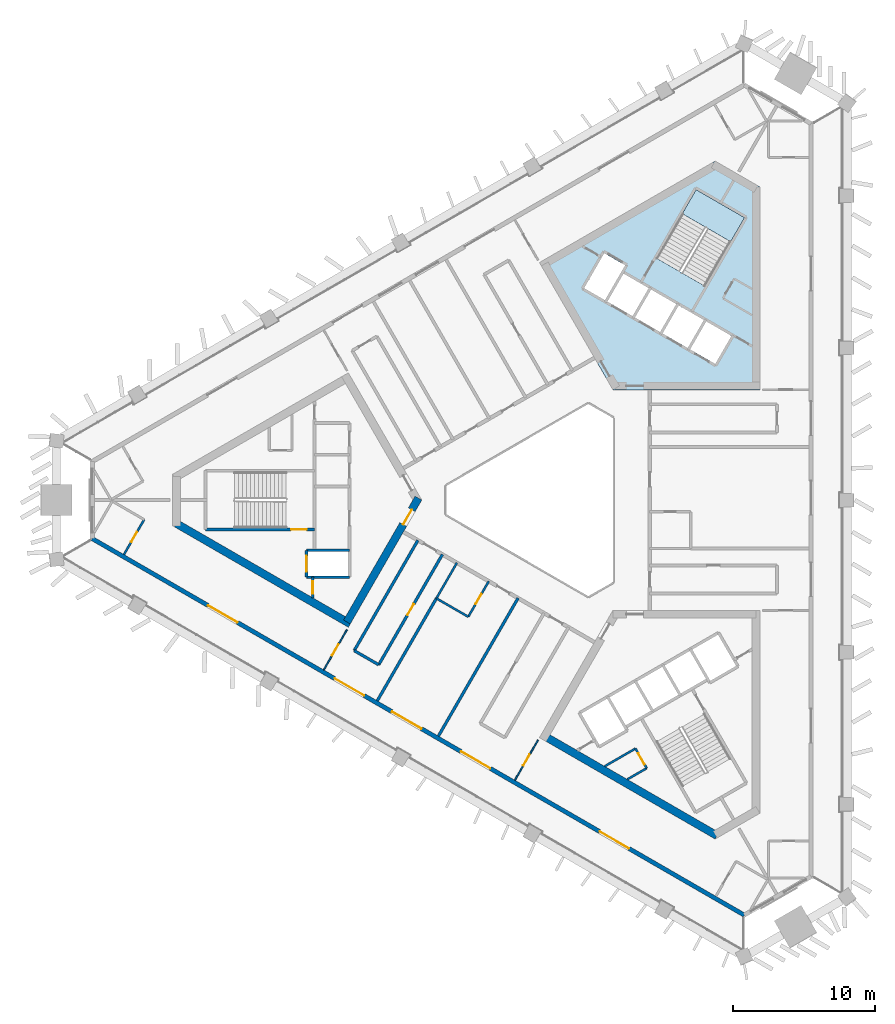
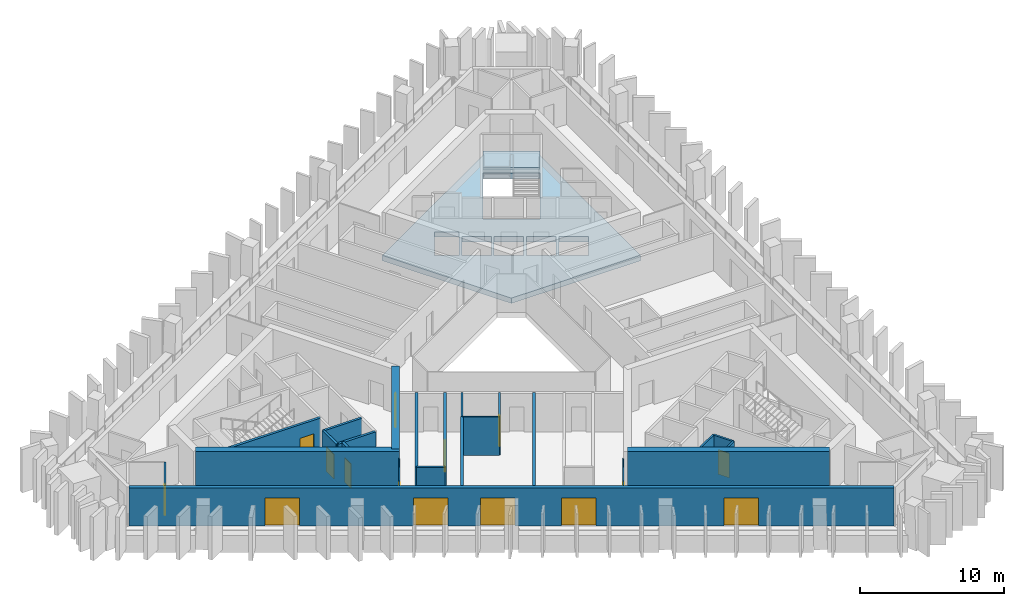
# One storey, part 2 of 10: 23 walls, 15 doors, 2 slabs, 15 openings, 1 element without a shape of its own.
"""IFC4 building model written with IfcOpenShell, lengths in metres."""

from ifc_helpers import new_model, si_unit, direction, frame, frame_2d, origin, place, context, subcontext, project, spatial, polyline, rectangle, outline, extrude, material, layer, layer_set, type_object, element, fill, aggregate, save


model = new_model("IFC4")

# Units and contexts
model_context = context("Model", 3, precision=1e-05, world=origin(), true_north=direction((0.0, 1.0)))
body_context = subcontext(model_context, "Body", "Model", "MODEL_VIEW")
ifc_project = project(units=[si_unit("LENGTHUNIT", "METRE"), si_unit("AREAUNIT", "SQUARE_METRE"), si_unit("VOLUMEUNIT", "CUBIC_METRE"), si_unit("PLANEANGLEUNIT", "RADIAN"), si_unit("MASSUNIT", "GRAM", prefix="KILO")], contexts=[model_context])

# Site, building, storey
site_placement = place(None, origin())
site = spatial("IfcSite", under=ifc_project, at=site_placement, CompositionType="ELEMENT")
building_placement = place(site_placement, origin())
building = spatial("IfcBuilding", under=site, at=building_placement, Name="Jabali Bay Hotel Tower and Convention Centre", CompositionType="ELEMENT")
storey_placement = place(building_placement, frame((0.0, 0.0, 178.5)))
storey = spatial("IfcBuildingStorey", under=building, at=storey_placement, Name="L43", CompositionType="ELEMENT", Elevation=178.5)

# Slab
ifc_material_1 = material(Name="Concrete C40", Category="concrete")
ifc_layer_1 = layer(ifc_material_1, 0.449951171875)
ifc_layer_set_1 = layer_set([ifc_layer_1], Name="Concrete C40")
slab_type_1 = type_object("IfcSlabType", Name="Core floor slab 450", PredefinedType="FLOOR", material=ifc_layer_set_1)
slab_1_placement = place(storey_placement, frame((0.0, 0.0, -0.449951171875)))
element("IfcSlab", 1, at=slab_1_placement, inside=storey, type_object=slab_type_1, Name="Core floor slab 2 L43", PredefinedType="FLOOR", context=body_context, shape_type="SweptSolid", body=[
    extrude(outline(polyline([(79.5, 87.794189453125), (89.8798828125, 87.794189453125), (89.8798828125, 102.127685546875), (86.72314453125, 103.9501953125), (74.31005859375, 96.78369140625), (79.5, 87.794189453125)]), holes=[polyline([(84.957763671875, 90.6474609375), (86.733154296875, 89.62255859375), (87.873291015625, 91.59716796875), (86.097900390625, 92.6220703125), (84.957763671875, 90.6474609375)]), polyline([(84.1494140625, 93.7470703125), (83.00927734375, 91.7724609375), (84.78466796875, 90.74755859375), (85.924560546875, 92.72216796875), (84.1494140625, 93.7470703125)]), polyline([(82.20068359375, 94.8720703125), (81.060791015625, 92.8974609375), (82.836181640625, 91.87255859375), (83.97607421875, 93.84716796875), (82.20068359375, 94.8720703125)]), polyline([(79.1123046875, 94.0224609375), (80.887451171875, 92.99755859375), (82.027587890625, 94.97216796875), (80.252197265625, 95.9970703125), (79.1123046875, 94.0224609375)]), polyline([(78.891845703125, 97.440673828125), (77.466796875, 94.97265625), (78.93896484375, 94.12255859375), (80.364013671875, 96.5908203125), (78.891845703125, 97.440673828125)]), polyline([(82.584716796875, 97.0869140625), (86.00537109375, 95.11181640625), (88.80029296875, 99.952880859375), (85.379638671875, 101.927978515625), (82.584716796875, 97.0869140625)])]), origin(), (0.0, 0.0, 1.0), 0.449951171875),
])

# Stair, slab
stair_type = type_object("IfcStairType", Name="Exit stair 1900", PredefinedType="HALF_TURN_STAIR", material=ifc_material_1)
stair_placement = place(storey_placement, origin())
stair = element("IfcStair", 2, at=stair_placement, inside=storey, type_object=stair_type, Name="L43 Exit Stair 2", PredefinedType="HALF_TURN_STAIR")
ifc_layer_2 = layer(ifc_material_1, 0.199951171875)
ifc_layer_set_2 = layer_set([ifc_layer_2], Name="Concrete C40")
slab_type_2 = type_object("IfcSlabType", Name="Stair landing 200", PredefinedType="LANDING", material=ifc_layer_set_2)
slab_2_placement = place(storey_placement, frame((0.0, 0.0, 1.64990234375)))
slab_2 = element("IfcSlab", 3, at=slab_2_placement, type_object=slab_type_2, Name="ST2 landing 1", PredefinedType="LANDING", context=body_context, shape_type="SweptSolid", body=[
    extrude(outline(polyline([(87.81884765625, 98.2529296875), (88.80029296875, 99.952880859375), (85.379638671875, 101.927978515625), (84.398193359375, 100.22802734375), (87.81884765625, 98.2529296875)])), origin(), (0.0, 0.0, 1.0), 0.2001953125),
])
aggregate(stair, [slab_2])

# Wall, opening, door
ifc_layer_3 = layer(ifc_material_1, 0.199951171875)
ifc_layer_set_3 = layer_set([ifc_layer_3], Name="Concrete C40")
wall_type_1 = type_object("IfcWallType", Name="Core partition wall 200", PredefinedType="PARTITIONING", material=ifc_layer_set_3)
wall_1_placement = place(storey_placement, frame((58.300048828125, 74.550048828125, 0.0), z_axis=(0.0, 0.0, 1.0), x_axis=(0.0, -1.0, 0.0)))
wall_1 = element("IfcWall", 4, at=wall_1_placement, inside=storey, type_object=wall_type_1, Name="Core wall 0.11 L43", PredefinedType="PARTITIONING", context=body_context, shape_type="SweptSolid", body=[
    extrude(rectangle(XDim=1.455078125, YDim=0.199951171875, at=frame_2d((0.7275390625, 0.0))), origin(), (0.0, 0.0, 1.0), 3.25),
])
opening_1_placement = place(wall_1_placement, frame((0.277587890625, 0.0, 0.0)))
opening_1 = element("IfcOpeningElement", 5, at=opening_1_placement, cuts=wall_1, Name="Opening D931", PredefinedType="OPENING", context=body_context, shape_type="SweptSolid", body=[
    extrude(rectangle(XDim=0.89990234375, YDim=2.10009765625, at=frame_2d((0.449951171875, 1.050048828125))), frame((0.0, 0.1103515625, 0.0), z_axis=(0.0, -1.0, 0.0), x_axis=(1.0, 0.0, 0.0)), (0.0, 0.0, 1.0), 0.220947265625),
])
ifc_material_2 = material(Name="Fire-rated steel door", Category="steel")
door_type_1 = type_object("IfcDoorType", Name="Vestibule fire door 900 x 2100", OperationType="NOTDEFINED", PredefinedType="NOTDEFINED", material=ifc_material_2)
door_1_placement = place(opening_1_placement, origin())
door_1 = element("IfcDoor", 6, at=door_1_placement, inside=storey, type_object=door_type_1, Name="Vestibule fire door D931", OperationType="SINGLE_SWING_LEFT", OverallHeight=2.10009765625, OverallWidth=0.89990234375, PredefinedType="NOTDEFINED", context=body_context, shape_type="SweptSolid", body=[
    extrude(rectangle(XDim=0.89990234375, YDim=2.10009765625, at=frame_2d((0.449951171875, 1.050048828125))), frame((0.0, 0.02490234375, 0.0), z_axis=(0.0, -1.0, 0.0), x_axis=(1.0, 0.0, 0.0)), (0.0, 0.0, 1.0), 0.050048828125),
])
fill(opening_1, door_1)

ifc_material_3 = material(Name="Fire-rated board partition")
ifc_layer_4 = layer(ifc_material_3, 0.14990234375)
ifc_layer_set_4 = layer_set([ifc_layer_4], Name="Fire-rated board partition")
wall_type_2 = type_object("IfcWallType", Name="Core room partition 150", PredefinedType="PARTITIONING", material=ifc_layer_set_4)
wall_2_placement = place(storey_placement, frame((81.093994140625, 62.445068359375, 0.0), z_axis=(0.0, 0.0, 1.0), x_axis=(0.499880961361, -0.866094119867, 0.0)))
wall_2 = element("IfcWall", 7, at=wall_2_placement, inside=storey, type_object=wall_type_2, Name="Core wall 2.1 L43", PredefinedType="PARTITIONING", context=body_context, shape_type="SweptSolid", body=[
    extrude(rectangle(XDim=1.60009765625, YDim=0.14990234375, at=frame_2d((0.800048828125, 0.0))), origin(), (0.0, 0.0, 1.0), 3.25),
])
opening_2_placement = place(wall_2_placement, frame((0.387451171875, 0.0, 0.0)))
opening_2 = element("IfcOpeningElement", 8, at=opening_2_placement, cuts=wall_2, Name="Opening D946", PredefinedType="OPENING", context=body_context, shape_type="SweptSolid", body=[
    extrude(rectangle(XDim=0.89990234375, YDim=2.10009765625, at=frame_2d((0.449951171875, 1.050048828125))), frame((0.0, 0.08544921875, 0.0), z_axis=(0.0, -1.0, 0.0), x_axis=(1.0, 0.0, 0.0)), (0.0, 0.0, 1.0), 0.1708984375),
])
door_type_2 = type_object("IfcDoorType", Name="Core room door 900 x 2100", OperationType="NOTDEFINED", PredefinedType="NOTDEFINED", material=ifc_material_2)
door_2_placement = place(opening_2_placement, origin())
door_2 = element("IfcDoor", 9, at=door_2_placement, inside=storey, type_object=door_type_2, Name="Core room door D946", OperationType="SINGLE_SWING_LEFT", OverallHeight=2.10009765625, OverallWidth=0.89990234375, PredefinedType="NOTDEFINED", context=body_context, shape_type="SweptSolid", body=[
    extrude(rectangle(XDim=0.89990234375, YDim=2.10009765625, at=frame_2d((0.449951171875, 1.050048828125))), frame((0.0, 0.02490234375, 0.0), z_axis=(0.0, -1.0, 0.0), x_axis=(1.0, 0.0, 0.0)), (0.0, 0.0, 1.0), 0.050048828125),
])
fill(opening_2, door_2)

# Walls
wall_3_placement = place(storey_placement, frame((78.919921875, 61.18994140625, 0.0), z_axis=(0.0, 0.0, 1.0), x_axis=(0.866038211682, 0.499977815414, 0.0)))
element("IfcWall", 10, at=wall_3_placement, inside=storey, type_object=wall_type_2, Name="Core wall 2.16 L43", PredefinedType="PARTITIONING", context=body_context, shape_type="SweptSolid", body=[
    extrude(rectangle(XDim=2.51025390625, YDim=0.14990234375, at=frame_2d((1.255126953125, 0.0))), origin(), (0.0, 0.0, 1.0), 3.25),
])
wall_4_placement = place(storey_placement, frame((80.52001953125, 60.26611328125, 0.0), z_axis=(0.0, 0.0, 1.0), x_axis=(0.866008740531, 0.500028860491, 0.0)))
element("IfcWall", 11, at=wall_4_placement, inside=storey, type_object=wall_type_2, Name="Core wall 2.17 L43", PredefinedType="PARTITIONING", context=body_context, shape_type="SweptSolid", body=[
    extrude(rectangle(XDim=1.58642578125, YDim=0.14990234375, at=frame_2d((0.793212890625, 0.0))), origin(), (0.0, 0.0, 1.0), 3.25),
])

# Wall, opening, door
ifc_layer_5 = layer(ifc_material_1, 0.199951171875)
ifc_layer_set_5 = layer_set([ifc_layer_5], Name="Concrete C40")
wall_type_3 = type_object("IfcWallType", Name="Core stair wall 200", PredefinedType="SOLIDWALL", material=ifc_layer_set_5)
wall_5_placement = place(storey_placement, frame((58.419921875, 77.925048828125, 0.0), z_axis=(0.0, 0.0, 1.0), x_axis=(-1.0, 0.0, 0.0)))
wall_5 = element("IfcWall", 12, at=wall_5_placement, inside=storey, type_object=wall_type_3, Name="Core wall 0.6 L43", PredefinedType="SOLIDWALL", context=body_context, shape_type="SweptSolid", body=[
    extrude(rectangle(XDim=7.699951171875, YDim=0.199951171875, at=frame_2d((3.85009765625, 0.0))), origin(), (0.0, 0.0, 1.0), 3.25),
])
opening_3_placement = place(wall_5_placement, frame((0.550048828125, 0.0, 0.0)))
opening_3 = element("IfcOpeningElement", 13, at=opening_3_placement, cuts=wall_5, Name="Opening D933", PredefinedType="OPENING", context=body_context, shape_type="SweptSolid", body=[
    extrude(rectangle(XDim=1.10009765625, YDim=2.10009765625, at=frame_2d((0.550048828125, 1.050048828125))), frame((0.0, 0.1103515625, 0.0), z_axis=(0.0, -1.0, 0.0), x_axis=(1.0, 0.0, 0.0)), (0.0, 0.0, 1.0), 0.220947265625),
])
door_type_3 = type_object("IfcDoorType", Name="Stair fire door 1100 x 2100", OperationType="NOTDEFINED", PredefinedType="NOTDEFINED", material=ifc_material_2)
door_3_placement = place(opening_3_placement, origin())
door_3 = element("IfcDoor", 14, at=door_3_placement, inside=storey, type_object=door_type_3, Name="Stair fire door D933", OperationType="SINGLE_SWING_RIGHT", OverallHeight=2.10009765625, OverallWidth=1.10009765625, PredefinedType="NOTDEFINED", context=body_context, shape_type="SweptSolid", body=[
    extrude(rectangle(XDim=1.10009765625, YDim=2.10009765625, at=frame_2d((0.550048828125, 1.050048828125))), frame((0.0, 0.02490234375, 0.0), z_axis=(0.0, -1.0, 0.0), x_axis=(1.0, 0.0, 0.0)), (0.0, 0.0, 1.0), 0.050048828125),
])
fill(opening_3, door_3)

# Walls
for number, where, z_axis, x_axis, name in (
    (15, (60.89990234375, 76.449951171875, 0.0), (0.0, 0.0, 1.0), (-1.0, 0.0, 0.0), "Core wall 0.7 L43"),
    (16, (60.89990234375, 74.550048828125, 0.0), (0.0, 0.0, 1.0), (-1.0, 0.0, 0.0), "Core wall 0.8 L43"),
):
    element("IfcWall", number, at=place(storey_placement, frame(where, z_axis=z_axis, x_axis=x_axis)), inside=storey, type_object=wall_type_3, Name=name, PredefinedType="SOLIDWALL", context=body_context, shape_type="SweptSolid", body=[
        extrude(rectangle(XDim=3.0498046875, YDim=0.199951171875, at=frame_2d((1.52490234375, 0.0))), origin(), (0.0, 0.0, 1.0), 3.25),
    ])

# Wall, opening, door
wall_6_placement = place(storey_placement, frame((57.85009765625, 76.449951171875, 0.0), z_axis=(0.0, 0.0, 1.0), x_axis=(0.0, -1.0, 0.0)))
wall_6 = element("IfcWall", 17, at=wall_6_placement, inside=storey, type_object=wall_type_3, Name="Core wall 0.12 L43", PredefinedType="SOLIDWALL", context=body_context, shape_type="SweptSolid", body=[
    extrude(rectangle(XDim=1.89990234375, YDim=0.199951171875, at=frame_2d((0.949951171875, 0.0))), origin(), (0.0, 0.0, 1.0), 3.25),
])
opening_4_placement = place(wall_6_placement, frame((0.39990234375, 0.0, 0.0)))
opening_4 = element("IfcOpeningElement", 18, at=opening_4_placement, cuts=wall_6, Name="Opening LD5-L43", PredefinedType="OPENING", context=body_context, shape_type="SweptSolid", body=[
    extrude(rectangle(XDim=1.10009765625, YDim=2.10009765625, at=frame_2d((0.550048828125, 1.050048828125))), frame((0.0, 0.1103515625, 0.0), z_axis=(0.0, -1.0, 0.0), x_axis=(1.0, 0.0, 0.0)), (0.0, 0.0, 1.0), 0.220947265625),
])
ifc_material_4 = material(Name="Stainless steel landing door", Category="steel")
door_type_4 = type_object("IfcDoorType", Name="Landing door 1100 x 2100", OperationType="NOTDEFINED", PredefinedType="NOTDEFINED", material=ifc_material_4)
door_4_placement = place(opening_4_placement, origin())
door_4 = element("IfcDoor", 19, at=door_4_placement, inside=storey, type_object=door_type_4, Name="Landing doors LD5-L43", OperationType="SLIDING_TO_RIGHT", OverallHeight=2.10009765625, OverallWidth=1.10009765625, PredefinedType="NOTDEFINED", context=body_context, shape_type="SweptSolid", body=[
    extrude(rectangle(XDim=1.10009765625, YDim=2.10009765625, at=frame_2d((0.550048828125, 1.050048828125))), frame((0.0, 0.02490234375, 0.0), z_axis=(0.0, -1.0, 0.0), x_axis=(1.0, 0.0, 0.0)), (0.0, 0.0, 1.0), 0.050048828125),
])
fill(opening_4, door_4)

# Wall
ifc_material_5 = material(Name="Concrete C60", Category="concrete")
ifc_layer_6 = layer(ifc_material_5, 0.550048828125)
ifc_layer_set_6 = layer_set([ifc_layer_6], Name="Concrete C60")
wall_type_4 = type_object("IfcWallType", Name="Core wall 550", PredefinedType="SHEAR", material=ifc_layer_set_6)
wall_7_placement = place(storey_placement, frame((48.671875, 78.336181640625, 0.0), z_axis=(0.0, 0.0, 1.0), x_axis=(0.866023530946, -0.500003243837, 0.0)))
element("IfcWall", 20, at=wall_7_placement, inside=storey, type_object=wall_type_4, Name="Core wall 1.4 L43", PredefinedType="SHEAR", context=body_context, shape_type="SweptSolid", body=[
    extrude(rectangle(XDim=14.1748046875, YDim=0.550048828125, at=frame_2d((7.08740234375, 0.0))), origin(), (0.0, 0.0, 1.0), 3.699951171875),
])

# Wall, opening, door
wall_8_placement = place(storey_placement, frame((60.709228515625, 71.38623046875, 0.0), z_axis=(0.0, 0.0, 1.0), x_axis=(0.500015938302, 0.866016201606, 0.0)))
wall_8 = element("IfcWall", 21, at=wall_8_placement, inside=storey, type_object=wall_type_4, Name="Core wall 1.5 L43", PredefinedType="SHEAR", context=body_context, shape_type="SweptSolid", body=[
    extrude(rectangle(XDim=10.105224609375, YDim=0.550048828125, at=frame_2d((5.052734375, 0.0))), origin(), (0.0, 0.0, 1.0), 3.699951171875),
])
opening_5_placement = place(wall_8_placement, frame((7.955078125, 0.0, 0.0)))
opening_5 = element("IfcOpeningElement", 22, at=opening_5_placement, cuts=wall_8, Name="Opening D927", PredefinedType="OPENING", context=body_context, shape_type="SweptSolid", body=[
    extrude(rectangle(XDim=1.199951171875, YDim=2.10009765625, at=frame_2d((0.60009765625, 1.050048828125))), frame((0.0, 0.28564453125, 0.0), z_axis=(0.0, -1.0, 0.0), x_axis=(1.0, 0.0, 0.0)), (0.0, 0.0, 1.0), 0.571044921875),
])
door_type_5 = type_object("IfcDoorType", Name="Corridor end fire door 1200 x 2100", OperationType="NOTDEFINED", PredefinedType="NOTDEFINED", material=ifc_material_2)
door_5_placement = place(opening_5_placement, origin())
door_5 = element("IfcDoor", 23, at=door_5_placement, inside=storey, type_object=door_type_5, Name="Corridor end fire door D927", OperationType="SINGLE_SWING_LEFT", OverallHeight=2.10009765625, OverallWidth=1.199951171875, PredefinedType="NOTDEFINED", context=body_context, shape_type="SweptSolid", body=[
    extrude(rectangle(XDim=1.199951171875, YDim=2.10009765625, at=frame_2d((0.60009765625, 1.050048828125))), frame((0.0, 0.02490234375, 0.0), z_axis=(0.0, -1.0, 0.0), x_axis=(1.0, 0.0, 0.0)), (0.0, 0.0, 1.0), 0.050048828125),
])
fill(opening_5, door_5)

# Wall
wall_9_placement = place(storey_placement, frame((74.685546875, 63.317138671875, 0.0), z_axis=(0.0, 0.0, 1.0), x_axis=(0.866024505738, -0.500001555459, 0.0)))
element("IfcWall", 24, at=wall_9_placement, inside=storey, type_object=wall_type_4, Name="Core wall 3.2 L43", PredefinedType="SHEAR", context=body_context, shape_type="SweptSolid", body=[
    extrude(rectangle(XDim=14.05859375, YDim=0.550048828125, at=frame_2d((7.029296875, 0.0))), origin(), (0.0, 0.0, 1.0), 3.699951171875),
])

# Wall, openings, doors
ifc_layer_7 = layer(ifc_material_1, 0.300048828125)
ifc_layer_set_7 = layer_set([ifc_layer_7], Name="Concrete C40")
wall_type_5 = type_object("IfcWallType", Name="External wall 300", PredefinedType="SOLIDWALL", material=ifc_layer_set_7)
wall_10_placement = place(storey_placement, frame((88.787841796875, 50.675537109375, 0.0), z_axis=(0.0, 0.0, 1.0), x_axis=(-0.866026647012, 0.499997846661, 0.0)))
wall_10 = element("IfcWall", 25, at=wall_10_placement, inside=storey, type_object=wall_type_5, Name="External wall south-west face L43", PredefinedType="SOLIDWALL", context=body_context, shape_type="SweptSolid", body=[
    extrude(rectangle(XDim=53.205810546875, YDim=0.300048828125, at=frame_2d((26.60302734375, 0.0))), origin(), (0.0, 0.0, 1.0), 3.25),
])
opening_6_placement = place(wall_10_placement, frame((31.0146484375, 0.0, 0.0)))
opening_6 = element("IfcOpeningElement", 26, at=opening_6_placement, cuts=wall_10, Name="Opening SD1", PredefinedType="OPENING", context=body_context, shape_type="SweptSolid", body=[
    extrude(rectangle(XDim=2.39990234375, YDim=2.39990234375, at=frame_2d((1.199951171875, 1.199951171875))), frame((0.0, 0.16064453125, 0.0), z_axis=(0.0, -1.0, 0.0), x_axis=(1.0, 0.0, 0.0)), (0.0, 0.0, 1.0), 0.321044921875),
])
opening_7_placement = place(wall_10_placement, frame((41.355712890625, 0.0, 0.0)))
opening_7 = element("IfcOpeningElement", 27, at=opening_7_placement, cuts=wall_10, Name="Opening SD1", PredefinedType="OPENING", context=body_context, shape_type="SweptSolid", body=[
    extrude(rectangle(XDim=2.39990234375, YDim=2.39990234375, at=frame_2d((1.199951171875, 1.199951171875))), frame((0.0, 0.16064453125, 0.0), z_axis=(0.0, -1.0, 0.0), x_axis=(1.0, 0.0, 0.0)), (0.0, 0.0, 1.0), 0.321044921875),
])
opening_8_placement = place(wall_10_placement, frame((20.726318359375, 0.0, 0.0)))
opening_8 = element("IfcOpeningElement", 28, at=opening_8_placement, cuts=wall_10, Name="Opening SD1", PredefinedType="OPENING", context=body_context, shape_type="SweptSolid", body=[
    extrude(rectangle(XDim=2.39990234375, YDim=2.39990234375, at=frame_2d((1.199951171875, 1.199951171875))), frame((0.0, 0.16064453125, 0.0), z_axis=(0.0, -1.0, 0.0), x_axis=(1.0, 0.0, 0.0)), (0.0, 0.0, 1.0), 0.321044921875),
])
opening_9_placement = place(wall_10_placement, frame((9.399658203125, 0.0, 0.0)))
opening_9 = element("IfcOpeningElement", 29, at=opening_9_placement, cuts=wall_10, Name="Opening SD1", PredefinedType="OPENING", context=body_context, shape_type="SweptSolid", body=[
    extrude(rectangle(XDim=2.39990234375, YDim=2.39990234375, at=frame_2d((1.199951171875, 1.199951171875))), frame((0.0, 0.16064453125, 0.0), z_axis=(0.0, -1.0, 0.0), x_axis=(1.0, 0.0, 0.0)), (0.0, 0.0, 1.0), 0.321044921875),
])
opening_10_placement = place(wall_10_placement, frame((26.338134765625, 0.0, 0.0)))
opening_10 = element("IfcOpeningElement", 30, at=opening_10_placement, cuts=wall_10, Name="Opening SD1", PredefinedType="OPENING", context=body_context, shape_type="SweptSolid", body=[
    extrude(rectangle(XDim=2.39990234375, YDim=2.39990234375, at=frame_2d((1.199951171875, 1.199951171875))), frame((0.0, 0.16064453125, 0.0), z_axis=(0.0, -1.0, 0.0), x_axis=(1.0, 0.0, 0.0)), (0.0, 0.0, 1.0), 0.321044921875),
])
ifc_material_6 = material(Name="Glass", Category="glass")
door_type_6 = type_object("IfcDoorType", Name="Loggia sliding door 2400 x 2400", OperationType="NOTDEFINED", PredefinedType="NOTDEFINED", material=ifc_material_6)
door_6_placement = place(opening_6_placement, origin())
door_6 = element("IfcDoor", 31, at=door_6_placement, inside=storey, type_object=door_type_6, Name="Loggia sliding door 4312", OperationType="SLIDING_TO_LEFT", OverallHeight=2.39990234375, OverallWidth=2.39990234375, PredefinedType="NOTDEFINED", context=body_context, shape_type="SweptSolid", body=[
    extrude(rectangle(XDim=2.39990234375, YDim=2.39990234375, at=frame_2d((1.199951171875, 1.199951171875))), frame((0.0, 0.02490234375, 0.0), z_axis=(0.0, -1.0, 0.0), x_axis=(1.0, 0.0, 0.0)), (0.0, 0.0, 1.0), 0.050048828125),
])
fill(opening_6, door_6)
door_7_placement = place(opening_7_placement, origin())
door_7 = element("IfcDoor", 32, at=door_7_placement, inside=storey, type_object=door_type_6, Name="Loggia sliding door 4312", OperationType="SLIDING_TO_RIGHT", OverallHeight=2.39990234375, OverallWidth=2.39990234375, PredefinedType="NOTDEFINED", context=body_context, shape_type="SweptSolid", body=[
    extrude(rectangle(XDim=2.39990234375, YDim=2.39990234375, at=frame_2d((1.199951171875, 1.199951171875))), frame((0.0, 0.02490234375, 0.0), z_axis=(0.0, -1.0, 0.0), x_axis=(1.0, 0.0, 0.0)), (0.0, 0.0, 1.0), 0.050048828125),
])
fill(opening_7, door_7)
door_8_placement = place(opening_8_placement, origin())
door_8 = element("IfcDoor", 33, at=door_8_placement, inside=storey, type_object=door_type_6, Name="Loggia sliding door 4315", OperationType="SLIDING_TO_LEFT", OverallHeight=2.39990234375, OverallWidth=2.39990234375, PredefinedType="NOTDEFINED", context=body_context, shape_type="SweptSolid", body=[
    extrude(rectangle(XDim=2.39990234375, YDim=2.39990234375, at=frame_2d((1.199951171875, 1.199951171875))), frame((0.0, 0.02490234375, 0.0), z_axis=(0.0, -1.0, 0.0), x_axis=(1.0, 0.0, 0.0)), (0.0, 0.0, 1.0), 0.050048828125),
])
fill(opening_8, door_8)
door_9_placement = place(opening_9_placement, origin())
door_9 = element("IfcDoor", 34, at=door_9_placement, inside=storey, type_object=door_type_6, Name="Loggia sliding door 4315", OperationType="SLIDING_TO_RIGHT", OverallHeight=2.39990234375, OverallWidth=2.39990234375, PredefinedType="NOTDEFINED", context=body_context, shape_type="SweptSolid", body=[
    extrude(rectangle(XDim=2.39990234375, YDim=2.39990234375, at=frame_2d((1.199951171875, 1.199951171875))), frame((0.0, 0.02490234375, 0.0), z_axis=(0.0, -1.0, 0.0), x_axis=(1.0, 0.0, 0.0)), (0.0, 0.0, 1.0), 0.050048828125),
])
fill(opening_9, door_9)
door_10_placement = place(opening_10_placement, origin())
door_10 = element("IfcDoor", 35, at=door_10_placement, inside=storey, type_object=door_type_6, Name="Loggia sliding door 4314", OperationType="SLIDING_TO_LEFT", OverallHeight=2.39990234375, OverallWidth=2.39990234375, PredefinedType="NOTDEFINED", context=body_context, shape_type="SweptSolid", body=[
    extrude(rectangle(XDim=2.39990234375, YDim=2.39990234375, at=frame_2d((1.199951171875, 1.199951171875))), frame((0.0, 0.02490234375, 0.0), z_axis=(0.0, -1.0, 0.0), x_axis=(1.0, 0.0, 0.0)), (0.0, 0.0, 1.0), 0.050048828125),
])
fill(opening_10, door_10)

# Wall, opening, door
ifc_material_7 = material(Name="Plasterboard on steel stud", Category="steel")
ifc_layer_8 = layer(ifc_material_7, 0.10009765625)
ifc_layer_set_8 = layer_set([ifc_layer_8], Name="Plasterboard on steel stud")
wall_type_6 = type_object("IfcWallType", Name="Partition 100 unit", PredefinedType="PARTITIONING", material=ifc_layer_set_8)
wall_11_placement = place(storey_placement, frame((60.71044921875, 70.83837890625, 0.0), z_axis=(0.0, 0.0, 1.0), x_axis=(-0.499980647919, -0.866036576425, 0.0)))
wall_11 = element("IfcWall", 36, at=wall_11_placement, inside=storey, type_object=wall_type_6, Name="Partition P02 L43 040", PredefinedType="PARTITIONING", context=body_context, shape_type="SweptSolid", body=[
    extrude(rectangle(XDim=3.274169921875, YDim=0.10009765625, at=frame_2d((1.63720703125, 0.0))), origin(), (0.0, 0.0, 1.0), 3.25),
])
opening_11_placement = place(wall_11_placement, frame((1.18701171875, 0.0, 0.0)))
opening_11 = element("IfcOpeningElement", 37, at=opening_11_placement, cuts=wall_11, Name="Opening 4322", PredefinedType="OPENING", context=body_context, shape_type="SweptSolid", body=[
    extrude(rectangle(XDim=0.89990234375, YDim=2.10009765625, at=frame_2d((0.449951171875, 1.050048828125))), frame((0.0, 0.060546875, 0.0), z_axis=(0.0, -1.0, 0.0), x_axis=(1.0, 0.0, 0.0)), (0.0, 0.0, 1.0), 0.12109375),
])
ifc_material_8 = material(Name="Timber", Category="wood")
door_type_7 = type_object("IfcDoorType", Name="Internal door 900 x 2100", OperationType="NOTDEFINED", PredefinedType="NOTDEFINED", material=ifc_material_8)
door_11_placement = place(opening_11_placement, origin())
door_11 = element("IfcDoor", 38, at=door_11_placement, inside=storey, type_object=door_type_7, Name="Door 4322", OperationType="SINGLE_SWING_RIGHT", OverallHeight=2.10009765625, OverallWidth=0.89990234375, PredefinedType="NOTDEFINED", context=body_context, shape_type="SweptSolid", body=[
    extrude(rectangle(XDim=0.89990234375, YDim=2.10009765625, at=frame_2d((0.449951171875, 1.050048828125))), frame((0.0, 0.02490234375, 0.0), z_axis=(0.0, -1.0, 0.0), x_axis=(1.0, 0.0, 0.0)), (0.0, 0.0, 1.0), 0.050048828125),
])
fill(opening_11, door_11)

wall_12_placement = place(storey_placement, frame((72.573486328125, 60.208740234375, 0.0), z_axis=(0.0, 0.0, 1.0), x_axis=(0.499980647919, 0.866036576425, 0.0)))
wall_12 = element("IfcWall", 39, at=wall_12_placement, inside=storey, type_object=wall_type_6, Name="Partition P02 L43 052", PredefinedType="PARTITIONING", context=body_context, shape_type="SweptSolid", body=[
    extrude(rectangle(XDim=3.274169921875, YDim=0.10009765625, at=frame_2d((1.63720703125, 0.0))), origin(), (0.0, 0.0, 1.0), 3.25),
])
opening_12_placement = place(wall_12_placement, frame((1.18701171875, 0.0, 0.0)))
opening_12 = element("IfcOpeningElement", 40, at=opening_12_placement, cuts=wall_12, Name="Opening 4328", PredefinedType="OPENING", context=body_context, shape_type="SweptSolid", body=[
    extrude(rectangle(XDim=0.89990234375, YDim=2.10009765625, at=frame_2d((0.449951171875, 1.050048828125))), frame((0.0, 0.060546875, 0.0), z_axis=(0.0, -1.0, 0.0), x_axis=(1.0, 0.0, 0.0)), (0.0, 0.0, 1.0), 0.12109375),
])
door_12_placement = place(opening_12_placement, origin())
door_12 = element("IfcDoor", 41, at=door_12_placement, inside=storey, type_object=door_type_7, Name="Door 4328", OperationType="SINGLE_SWING_RIGHT", OverallHeight=2.10009765625, OverallWidth=0.89990234375, PredefinedType="NOTDEFINED", context=body_context, shape_type="SweptSolid", body=[
    extrude(rectangle(XDim=0.89990234375, YDim=2.10009765625, at=frame_2d((0.449951171875, 1.050048828125))), frame((0.0, 0.02490234375, 0.0), z_axis=(0.0, -1.0, 0.0), x_axis=(1.0, 0.0, 0.0)), (0.0, 0.0, 1.0), 0.050048828125),
])
fill(opening_12, door_12)

# Wall
ifc_layer_9 = layer(ifc_material_7, 0.14990234375)
ifc_layer_set_9 = layer_set([ifc_layer_9], Name="Plasterboard on steel stud")
wall_type_7 = type_object("IfcWallType", Name="Partition 150 wet", PredefinedType="PARTITIONING", material=ifc_layer_set_9)
wall_13_placement = place(storey_placement, frame((67.030029296875, 73.054443359375, 0.0), z_axis=(0.0, 0.0, 1.0), x_axis=(0.499987231761, 0.866032775405, 0.0)))
element("IfcWall", 42, at=wall_13_placement, inside=storey, type_object=wall_type_7, Name="Partition P03 L43 045", PredefinedType="PARTITIONING", context=body_context, shape_type="SweptSolid", body=[
    extrude(rectangle(XDim=2.89990234375, YDim=0.14990234375, at=frame_2d((1.449951171875, 0.0))), origin(), (0.0, 0.0, 1.0), 3.25),
])

# Wall, opening, door
wall_14_placement = place(storey_placement, frame((46.383544921875, 78.6220703125, 0.0), z_axis=(0.0, 0.0, 1.0), x_axis=(-0.500006551472, -0.866021621257, 0.0)))
wall_14 = element("IfcWall", 43, at=wall_14_placement, inside=storey, type_object=wall_type_7, Name="Partition P03 L43 048", PredefinedType="PARTITIONING", context=body_context, shape_type="SweptSolid", body=[
    extrude(rectangle(XDim=2.8515625, YDim=0.14990234375, at=frame_2d((1.42578125, 0.0))), origin(), (0.0, 0.0, 1.0), 3.25),
])
opening_13_placement = place(wall_14_placement, frame((1.02587890625, 0.0, 0.0)))
opening_13 = element("IfcOpeningElement", 44, at=opening_13_placement, cuts=wall_14, Name="Opening 4323", PredefinedType="OPENING", context=body_context, shape_type="SweptSolid", body=[
    extrude(rectangle(XDim=0.800048828125, YDim=2.10009765625, at=frame_2d((0.39990234375, 1.050048828125))), frame((0.0, 0.08544921875, 0.0), z_axis=(0.0, -1.0, 0.0), x_axis=(1.0, 0.0, 0.0)), (0.0, 0.0, 1.0), 0.1708984375),
])
door_type_8 = type_object("IfcDoorType", Name="En-suite door 800 x 2100", OperationType="NOTDEFINED", PredefinedType="NOTDEFINED", material=ifc_material_8)
door_13_placement = place(opening_13_placement, origin())
door_13 = element("IfcDoor", 45, at=door_13_placement, inside=storey, type_object=door_type_8, Name="Door 4323", OperationType="SINGLE_SWING_LEFT", OverallHeight=2.10009765625, OverallWidth=0.800048828125, PredefinedType="NOTDEFINED", context=body_context, shape_type="SweptSolid", body=[
    extrude(rectangle(XDim=0.800048828125, YDim=2.10009765625, at=frame_2d((0.39990234375, 1.050048828125))), frame((0.0, 0.02490234375, 0.0), z_axis=(0.0, -1.0, 0.0), x_axis=(1.0, 0.0, 0.0)), (0.0, 0.0, 1.0), 0.050048828125),
])
fill(opening_13, door_13)

wall_15_placement = place(storey_placement, frame((70.731689453125, 74.265869140625, 0.0), z_axis=(0.0, 0.0, 1.0), x_axis=(-0.499987231761, -0.866032775405, 0.0)))
wall_15 = element("IfcWall", 46, at=wall_15_placement, inside=storey, type_object=wall_type_7, Name="Partition P03 L43 049", PredefinedType="PARTITIONING", context=body_context, shape_type="SweptSolid", body=[
    extrude(rectangle(XDim=2.89990234375, YDim=0.14990234375, at=frame_2d((1.449951171875, 0.0))), origin(), (0.0, 0.0, 1.0), 3.25),
])
opening_14_placement = place(wall_15_placement, frame((1.050048828125, 0.0, 0.0)))
opening_14 = element("IfcOpeningElement", 47, at=opening_14_placement, cuts=wall_15, Name="Opening 4325", PredefinedType="OPENING", context=body_context, shape_type="SweptSolid", body=[
    extrude(rectangle(XDim=0.800048828125, YDim=2.10009765625, at=frame_2d((0.39990234375, 1.050048828125))), frame((0.0, 0.08544921875, 0.0), z_axis=(0.0, -1.0, 0.0), x_axis=(1.0, 0.0, 0.0)), (0.0, 0.0, 1.0), 0.1708984375),
])
door_14_placement = place(opening_14_placement, origin())
door_14 = element("IfcDoor", 48, at=door_14_placement, inside=storey, type_object=door_type_8, Name="Door 4325", OperationType="SINGLE_SWING_LEFT", OverallHeight=2.10009765625, OverallWidth=0.800048828125, PredefinedType="NOTDEFINED", context=body_context, shape_type="SweptSolid", body=[
    extrude(rectangle(XDim=0.800048828125, YDim=2.10009765625, at=frame_2d((0.39990234375, 1.050048828125))), frame((0.0, 0.02490234375, 0.0), z_axis=(0.0, -1.0, 0.0), x_axis=(1.0, 0.0, 0.0)), (0.0, 0.0, 1.0), 0.050048828125),
])
fill(opening_14, door_14)

# Wall
wall_16_placement = place(storey_placement, frame((69.28173828125, 71.75439453125, 0.0), z_axis=(0.0, 0.0, 1.0), x_axis=(-0.866021400173, 0.500006934395, 0.0)))
element("IfcWall", 49, at=wall_16_placement, inside=storey, type_object=wall_type_7, Name="Partition P03 L43 050", PredefinedType="PARTITIONING", context=body_context, shape_type="SweptSolid", body=[
    extrude(rectangle(XDim=2.60009765625, YDim=0.14990234375, at=frame_2d((1.300048828125, 0.0))), origin(), (0.0, 0.0, 1.0), 3.25),
])

# Wall, opening, door
ifc_layer_10 = layer(ifc_material_7, 0.199951171875)
ifc_layer_set_10 = layer_set([ifc_layer_10], Name="Plasterboard on steel stud")
wall_type_8 = type_object("IfcWallType", Name="Partition 200 party", PredefinedType="PARTITIONING", material=ifc_layer_set_10)
wall_17_placement = place(storey_placement, frame((67.4560546875, 76.1572265625, 0.0), z_axis=(0.0, 0.0, 1.0), x_axis=(-0.499990139034, -0.866031096941, 0.0)))
wall_17 = element("IfcWall", 50, at=wall_17_placement, inside=storey, type_object=wall_type_8, Name="Partition P01 L43 041", PredefinedType="PARTITIONING", context=body_context, shape_type="SweptSolid", body=[
    extrude(rectangle(XDim=9.000244140625, YDim=0.199951171875, at=frame_2d((4.5, 0.0))), origin(), (0.0, 0.0, 1.0), 3.25),
])
opening_15_placement = place(wall_17_placement, frame((4.050048828125, 0.0, 0.0)))
opening_15 = element("IfcOpeningElement", 51, at=opening_15_placement, cuts=wall_17, Name="Opening 4324", PredefinedType="OPENING", context=body_context, shape_type="SweptSolid", body=[
    extrude(rectangle(XDim=0.89990234375, YDim=2.10009765625, at=frame_2d((0.449951171875, 1.050048828125))), frame((0.0, 0.1103515625, 0.0), z_axis=(0.0, -1.0, 0.0), x_axis=(1.0, 0.0, 0.0)), (0.0, 0.0, 1.0), 0.220947265625),
])
door_15_placement = place(opening_15_placement, origin())
door_15 = element("IfcDoor", 52, at=door_15_placement, inside=storey, type_object=door_type_7, Name="Door 4324", OperationType="SINGLE_SWING_LEFT", OverallHeight=2.10009765625, OverallWidth=0.89990234375, PredefinedType="NOTDEFINED", context=body_context, shape_type="SweptSolid", body=[
    extrude(rectangle(XDim=0.89990234375, YDim=2.10009765625, at=frame_2d((0.449951171875, 1.050048828125))), frame((0.0, 0.02490234375, 0.0), z_axis=(0.0, -1.0, 0.0), x_axis=(1.0, 0.0, 0.0)), (0.0, 0.0, 1.0), 0.050048828125),
])
fill(opening_15, door_15)

# Walls
wall_18_placement = place(storey_placement, frame((62.9560546875, 68.36279296875, 0.0), z_axis=(0.0, 0.0, 1.0), x_axis=(-0.866041268327, 0.499972520799, 0.0)))
element("IfcWall", 53, at=wall_18_placement, inside=storey, type_object=wall_type_8, Name="Partition P01 L43 042", PredefinedType="PARTITIONING", context=body_context, shape_type="SweptSolid", body=[
    extrude(rectangle(XDim=2.0, YDim=0.199951171875, at=frame_2d((1.0, 0.0))), origin(), (0.0, 0.0, 1.0), 3.25),
])
wall_19_placement = place(storey_placement, frame((61.223876953125, 69.36279296875, 0.0), z_axis=(0.0, 0.0, 1.0), x_axis=(0.499990139034, 0.866031096941, 0.0)))
element("IfcWall", 54, at=wall_19_placement, inside=storey, type_object=wall_type_8, Name="Partition P01 L43 043", PredefinedType="PARTITIONING", context=body_context, shape_type="SweptSolid", body=[
    extrude(rectangle(XDim=9.000244140625, YDim=0.199951171875, at=frame_2d((4.5, 0.0))), origin(), (0.0, 0.0, 1.0), 3.25),
])
wall_20_placement = place(storey_placement, frame((62.853515625, 65.820556640625, 0.0), z_axis=(0.0, 0.0, 1.0), x_axis=(0.500002444709, 0.866023992326, 0.0)))
element("IfcWall", 55, at=wall_20_placement, inside=storey, type_object=wall_type_8, Name="Partition P01 L43 044", PredefinedType="PARTITIONING", context=body_context, shape_type="SweptSolid", body=[
    extrude(rectangle(XDim=8.35302734375, YDim=0.199951171875, at=frame_2d((4.176513671875, 0.0))), origin(), (0.0, 0.0, 1.0), 3.25),
])
wall_21_placement = place(storey_placement, frame((67.173583984375, 63.326416015625, 0.0), z_axis=(0.0, 0.0, 1.0), x_axis=(0.499998524228, 0.86602625582, 0.0)))
element("IfcWall", 56, at=wall_21_placement, inside=storey, type_object=wall_type_8, Name="Partition P01 L43 051", PredefinedType="PARTITIONING", context=body_context, shape_type="SweptSolid", body=[
    extrude(rectangle(XDim=11.2529296875, YDim=0.199951171875, at=frame_2d((5.62646484375, 0.0))), origin(), (0.0, 0.0, 1.0), 3.25),
])

save(model, "model.ifc")
